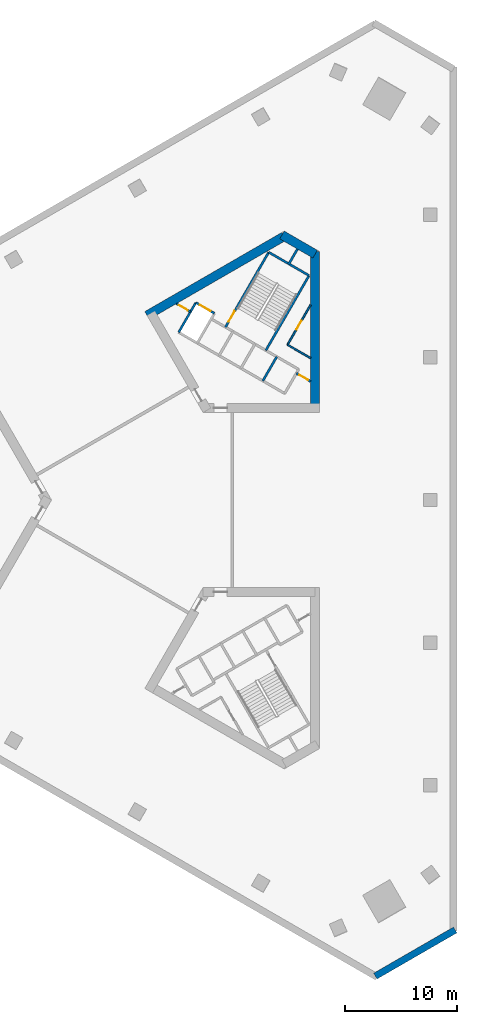
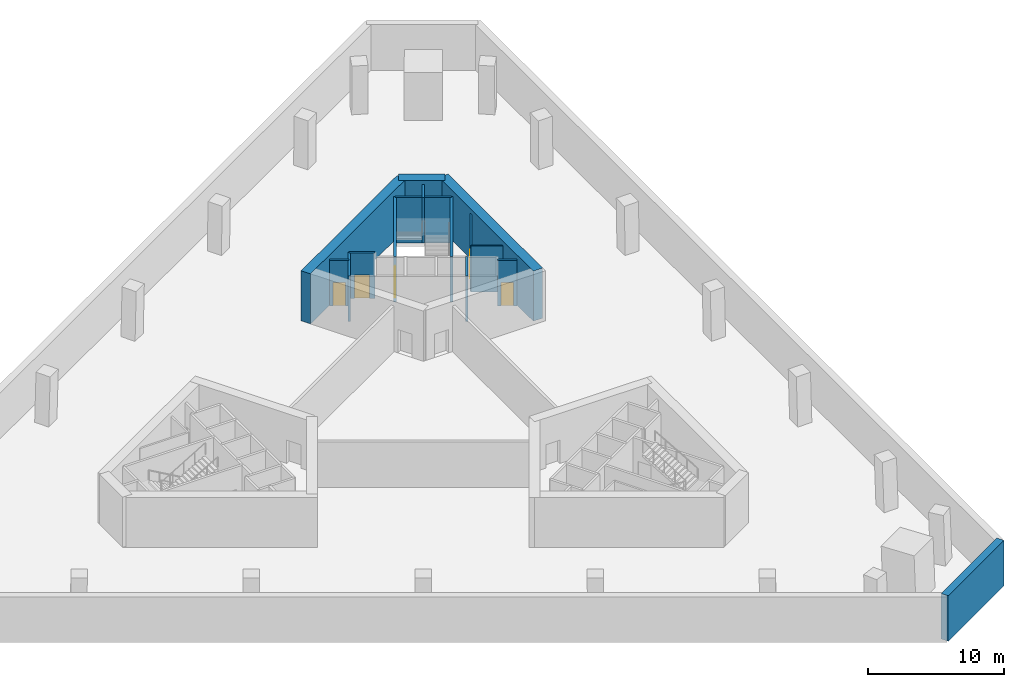
# One storey, part 4 of 6: 15 walls, 5 doors, 5 openings.
"""IFC4 building model written with IfcOpenShell, lengths in metres."""

from ifc_helpers import new_model, si_unit, direction, frame, frame_2d, origin, place, context, subcontext, project, spatial, rectangle, extrude, material, layer, layer_set, type_object, element, fill, save


model = new_model("IFC4")

# Units and contexts
model_context = context("Model", 3, precision=1e-05, world=origin(), true_north=direction((0.0, 1.0)))
body_context = subcontext(model_context, "Body", "Model", "MODEL_VIEW")
ifc_project = project(units=[si_unit("LENGTHUNIT", "METRE"), si_unit("AREAUNIT", "SQUARE_METRE"), si_unit("VOLUMEUNIT", "CUBIC_METRE"), si_unit("PLANEANGLEUNIT", "RADIAN"), si_unit("MASSUNIT", "GRAM", prefix="KILO")], contexts=[model_context])

# Site, building, storey
site_placement = place(None, origin())
site = spatial("IfcSite", under=ifc_project, at=site_placement, CompositionType="ELEMENT")
building_placement = place(site_placement, origin())
building = spatial("IfcBuilding", under=site, at=building_placement, Name="Jabali Bay Hotel Tower and Convention Centre", CompositionType="ELEMENT")
storey_placement = place(building_placement, frame((0.0, 0.0, -4.5)))
storey = spatial("IfcBuildingStorey", under=building, at=storey_placement, Name="B1", CompositionType="ELEMENT", Elevation=-4.5)

# Wall
ifc_material_1 = material(Name="Concrete C40", Category="concrete")
ifc_layer_1 = layer(ifc_material_1, 0.199951171875)
ifc_layer_set_1 = layer_set([ifc_layer_1], Name="Concrete C40")
wall_type_1 = type_object("IfcWallType", Name="Core partition wall 200", PredefinedType="PARTITIONING", material=ifc_layer_set_1)
wall_1_placement = place(storey_placement, frame((87.090087890625, 100.9404296875, 0.0), z_axis=(0.0, 0.0, 1.0), x_axis=(0.499956811548, 0.866050337213, 0.0)))
element("IfcWall", 1, at=wall_1_placement, inside=storey, type_object=wall_type_1, Name="Core wall 1.5 B1", PredefinedType="PARTITIONING", context=body_context, shape_type="SweptSolid", body=[
    extrude(rectangle(XDim=1.623291015625, YDim=0.199951171875, at=frame_2d((0.8115234375, 0.0))), origin(), (0.0, 0.0, 1.0), 4.10009765625),
])

# Wall, opening, door
wall_2_placement = place(storey_placement, frame((89.080078125, 90.553955078125, 0.0), z_axis=(0.0, 0.0, 1.0), x_axis=(-0.866022048785, 0.500005810984, 0.0)))
wall_2 = element("IfcWall", 2, at=wall_2_placement, inside=storey, type_object=wall_type_1, Name="Core wall 1.11 B1", PredefinedType="PARTITIONING", context=body_context, shape_type="SweptSolid", body=[
    extrude(rectangle(XDim=1.466796875, YDim=0.199951171875, at=frame_2d((0.7333984375, 0.0))), origin(), (0.0, 0.0, 1.0), 4.10009765625),
])
opening_1_placement = place(wall_2_placement, frame((0.283447265625, 0.0, 0.0)))
opening_1 = element("IfcOpeningElement", 3, at=opening_1_placement, cuts=wall_2, Name="Opening D97", PredefinedType="OPENING", context=body_context, shape_type="SweptSolid", body=[
    extrude(rectangle(XDim=0.89990234375, YDim=2.10009765625, at=frame_2d((0.449951171875, 1.050048828125))), frame((0.0, 0.1103515625, 0.0), z_axis=(0.0, -1.0, 0.0), x_axis=(1.0, 0.0, 0.0)), (0.0, 0.0, 1.0), 0.220947265625),
])
ifc_material_2 = material(Name="Fire-rated steel door", Category="steel")
door_type_1 = type_object("IfcDoorType", Name="Vestibule fire door 900 x 2100", OperationType="NOTDEFINED", PredefinedType="NOTDEFINED", material=ifc_material_2)
door_1_placement = place(opening_1_placement, origin())
door_1 = element("IfcDoor", 4, at=door_1_placement, inside=storey, type_object=door_type_1, Name="Vestibule fire door D97", OperationType="SINGLE_SWING_LEFT", OverallHeight=2.10009765625, OverallWidth=0.89990234375, PredefinedType="NOTDEFINED", context=body_context, shape_type="SweptSolid", body=[
    extrude(rectangle(XDim=0.89990234375, YDim=2.10009765625, at=frame_2d((0.449951171875, 1.050048828125))), frame((0.0, 0.02490234375, 0.0), z_axis=(0.0, -1.0, 0.0), x_axis=(1.0, 0.0, 0.0)), (0.0, 0.0, 1.0), 0.050048828125),
])
fill(opening_1, door_1)

wall_3_placement = place(storey_placement, frame((78.380126953125, 96.754638671875, 0.0), z_axis=(0.0, 0.0, 1.0), x_axis=(-0.866003949776, 0.500037157592, 0.0)))
wall_3 = element("IfcWall", 5, at=wall_3_placement, inside=storey, type_object=wall_type_1, Name="Core wall 1.12 B1", PredefinedType="PARTITIONING", context=body_context, shape_type="SweptSolid", body=[
    extrude(rectangle(XDim=1.455078125, YDim=0.199951171875, at=frame_2d((0.7275390625, 0.0))), origin(), (0.0, 0.0, 1.0), 4.10009765625),
])
opening_2_placement = place(wall_3_placement, frame((0.277587890625, 0.0, 0.0)))
opening_2 = element("IfcOpeningElement", 6, at=opening_2_placement, cuts=wall_3, Name="Opening D96", PredefinedType="OPENING", context=body_context, shape_type="SweptSolid", body=[
    extrude(rectangle(XDim=0.89990234375, YDim=2.10009765625, at=frame_2d((0.449951171875, 1.050048828125))), frame((0.0, 0.1103515625, 0.0), z_axis=(0.0, -1.0, 0.0), x_axis=(1.0, 0.0, 0.0)), (0.0, 0.0, 1.0), 0.220947265625),
])
door_2_placement = place(opening_2_placement, origin())
door_2 = element("IfcDoor", 7, at=door_2_placement, inside=storey, type_object=door_type_1, Name="Vestibule fire door D96", OperationType="SINGLE_SWING_LEFT", OverallHeight=2.10009765625, OverallWidth=0.89990234375, PredefinedType="NOTDEFINED", context=body_context, shape_type="SweptSolid", body=[
    extrude(rectangle(XDim=0.89990234375, YDim=2.10009765625, at=frame_2d((0.449951171875, 1.050048828125))), frame((0.0, 0.02490234375, 0.0), z_axis=(0.0, -1.0, 0.0), x_axis=(1.0, 0.0, 0.0)), (0.0, 0.0, 1.0), 0.050048828125),
])
fill(opening_2, door_2)

ifc_material_3 = material(Name="Fire-rated board partition")
ifc_layer_2 = layer(ifc_material_3, 0.14990234375)
ifc_layer_set_2 = layer_set([ifc_layer_2], Name="Fire-rated board partition")
wall_type_2 = type_object("IfcWallType", Name="Core room partition 150", PredefinedType="PARTITIONING", material=ifc_layer_set_2)
wall_4_placement = place(storey_placement, frame((87.02099609375, 93.821044921875, 0.0), z_axis=(0.0, 0.0, 1.0), x_axis=(0.500028662945, 0.866008854593, 0.0)))
wall_4 = element("IfcWall", 8, at=wall_4_placement, inside=storey, type_object=wall_type_2, Name="Core wall 1.1 B1", PredefinedType="PARTITIONING", context=body_context, shape_type="SweptSolid", body=[
    extrude(rectangle(XDim=4.117919921875, YDim=0.14990234375, at=frame_2d((2.05908203125, 0.0))), origin(), (0.0, 0.0, 1.0), 4.10009765625),
])
opening_3_placement = place(wall_4_placement, frame((1.58154296875, 0.0, 0.0)))
opening_3 = element("IfcOpeningElement", 9, at=opening_3_placement, cuts=wall_4, Name="Opening D99", PredefinedType="OPENING", context=body_context, shape_type="SweptSolid", body=[
    extrude(rectangle(XDim=0.89990234375, YDim=2.10009765625, at=frame_2d((0.449951171875, 1.050048828125))), frame((0.0, 0.08544921875, 0.0), z_axis=(0.0, -1.0, 0.0), x_axis=(1.0, 0.0, 0.0)), (0.0, 0.0, 1.0), 0.1708984375),
])
door_type_2 = type_object("IfcDoorType", Name="Core room door 900 x 2100", OperationType="NOTDEFINED", PredefinedType="NOTDEFINED", material=ifc_material_2)
door_3_placement = place(opening_3_placement, origin())
door_3 = element("IfcDoor", 10, at=door_3_placement, inside=storey, type_object=door_type_2, Name="Core room door D99", OperationType="SINGLE_SWING_LEFT", OverallHeight=2.10009765625, OverallWidth=0.89990234375, PredefinedType="NOTDEFINED", context=body_context, shape_type="SweptSolid", body=[
    extrude(rectangle(XDim=0.89990234375, YDim=2.10009765625, at=frame_2d((0.449951171875, 1.050048828125))), frame((0.0, 0.02490234375, 0.0), z_axis=(0.0, -1.0, 0.0), x_axis=(1.0, 0.0, 0.0)), (0.0, 0.0, 1.0), 0.050048828125),
])
fill(opening_3, door_3)

# Walls
wall_5_placement = place(storey_placement, frame((89.080078125, 92.63232421875, 0.0), z_axis=(0.0, 0.0, 1.0), x_axis=(-0.866041951395, 0.499971337603, 0.0)))
element("IfcWall", 11, at=wall_5_placement, inside=storey, type_object=wall_type_2, Name="Core wall 1.15 B1", PredefinedType="PARTITIONING", context=body_context, shape_type="SweptSolid", body=[
    extrude(rectangle(XDim=2.377685546875, YDim=0.14990234375, at=frame_2d((1.18896484375, 0.0))), origin(), (0.0, 0.0, 1.0), 4.10009765625),
])
ifc_layer_3 = layer(ifc_material_1, 0.199951171875)
ifc_layer_set_3 = layer_set([ifc_layer_3], Name="Concrete C40")
wall_type_3 = type_object("IfcWallType", Name="Core stair wall 200", PredefinedType="SOLIDWALL", material=ifc_layer_set_3)
wall_6_placement = place(storey_placement, frame((84.8212890625, 90.61083984375, 0.0), z_axis=(0.0, 0.0, 1.0), x_axis=(0.499961042966, 0.86604789447, 0.0)))
element("IfcWall", 12, at=wall_6_placement, inside=storey, type_object=wall_type_3, Name="Core wall 1.2 B1", PredefinedType="SOLIDWALL", context=body_context, shape_type="SweptSolid", body=[
    extrude(rectangle(XDim=2.480224609375, YDim=0.199951171875, at=frame_2d((1.240234375, 0.0))), origin(), (0.0, 0.0, 1.0), 4.10009765625),
])
wall_7_placement = place(storey_placement, frame((85.0869140625, 93.3212890625, 0.0), z_axis=(0.0, 0.0, 1.0), x_axis=(0.500019787375, 0.866013979237, 0.0)))
element("IfcWall", 13, at=wall_7_placement, inside=storey, type_object=wall_type_3, Name="Core wall 1.3 B1", PredefinedType="SOLIDWALL", context=body_context, shape_type="SweptSolid", body=[
    extrude(rectangle(XDim=7.699951171875, YDim=0.199951171875, at=frame_2d((3.85009765625, 0.0))), origin(), (0.0, 0.0, 1.0), 4.10009765625),
])

# Wall, opening, door
wall_8_placement = place(storey_placement, frame((81.492919921875, 95.396240234375, 0.0), z_axis=(0.0, 0.0, 1.0), x_axis=(0.500006057782, 0.866021906294, 0.0)))
wall_8 = element("IfcWall", 14, at=wall_8_placement, inside=storey, type_object=wall_type_3, Name="Core wall 1.7 B1", PredefinedType="SOLIDWALL", context=body_context, shape_type="SweptSolid", body=[
    extrude(rectangle(XDim=7.7001953125, YDim=0.199951171875, at=frame_2d((3.85009765625, 0.0))), origin(), (0.0, 0.0, 1.0), 4.10009765625),
])
opening_4_placement = place(wall_8_placement, frame((0.550048828125, 0.0, 0.0)))
opening_4 = element("IfcOpeningElement", 15, at=opening_4_placement, cuts=wall_8, Name="Opening D98", PredefinedType="OPENING", context=body_context, shape_type="SweptSolid", body=[
    extrude(rectangle(XDim=1.10009765625, YDim=2.10009765625, at=frame_2d((0.550048828125, 1.050048828125))), frame((0.0, 0.1103515625, 0.0), z_axis=(0.0, -1.0, 0.0), x_axis=(1.0, 0.0, 0.0)), (0.0, 0.0, 1.0), 0.220947265625),
])
door_type_3 = type_object("IfcDoorType", Name="Stair fire door 1100 x 2100", OperationType="NOTDEFINED", PredefinedType="NOTDEFINED", material=ifc_material_2)
door_4_placement = place(opening_4_placement, origin())
door_4 = element("IfcDoor", 16, at=door_4_placement, inside=storey, type_object=door_type_3, Name="Stair fire door D98", OperationType="SINGLE_SWING_RIGHT", OverallHeight=2.10009765625, OverallWidth=1.10009765625, PredefinedType="NOTDEFINED", context=body_context, shape_type="SweptSolid", body=[
    extrude(rectangle(XDim=1.10009765625, YDim=2.10009765625, at=frame_2d((0.550048828125, 1.050048828125))), frame((0.0, 0.02490234375, 0.0), z_axis=(0.0, -1.0, 0.0), x_axis=(1.0, 0.0, 0.0)), (0.0, 0.0, 1.0), 0.050048828125),
])
fill(opening_4, door_4)

# Wall
wall_9_placement = place(storey_placement, frame((77.330078125, 94.93603515625, 0.0), z_axis=(0.0, 0.0, 1.0), x_axis=(0.500038867431, 0.8660029625, 0.0)))
element("IfcWall", 17, at=wall_9_placement, inside=storey, type_object=wall_type_3, Name="Core wall 1.9 B1", PredefinedType="SOLIDWALL", context=body_context, shape_type="SweptSolid", body=[
    extrude(rectangle(XDim=3.050048828125, YDim=0.199951171875, at=frame_2d((1.52490234375, 0.0))), origin(), (0.0, 0.0, 1.0), 4.10009765625),
])

# Wall, opening, door
wall_10_placement = place(storey_placement, frame((80.50048828125, 96.62744140625, 0.0), z_axis=(0.0, 0.0, 1.0), x_axis=(-0.86601224135, 0.500022797313, 0.0)))
wall_10 = element("IfcWall", 18, at=wall_10_placement, inside=storey, type_object=wall_type_3, Name="Core wall 1.14 B1", PredefinedType="SOLIDWALL", context=body_context, shape_type="SweptSolid", body=[
    extrude(rectangle(XDim=1.89990234375, YDim=0.199951171875, at=frame_2d((0.949951171875, 0.0))), origin(), (0.0, 0.0, 1.0), 4.10009765625),
])
opening_5_placement = place(wall_10_placement, frame((0.39990234375, 0.0, 0.0)))
opening_5 = element("IfcOpeningElement", 19, at=opening_5_placement, cuts=wall_10, Name="Opening LD10-B1", PredefinedType="OPENING", context=body_context, shape_type="SweptSolid", body=[
    extrude(rectangle(XDim=1.10009765625, YDim=2.10009765625, at=frame_2d((0.550048828125, 1.050048828125))), frame((0.0, 0.1103515625, 0.0), z_axis=(0.0, -1.0, 0.0), x_axis=(1.0, 0.0, 0.0)), (0.0, 0.0, 1.0), 0.220947265625),
])
ifc_material_4 = material(Name="Stainless steel landing door", Category="steel")
door_type_4 = type_object("IfcDoorType", Name="Landing door 1100 x 2100", OperationType="NOTDEFINED", PredefinedType="NOTDEFINED", material=ifc_material_4)
door_5_placement = place(opening_5_placement, origin())
door_5 = element("IfcDoor", 20, at=door_5_placement, inside=storey, type_object=door_type_4, Name="Landing doors LD10-B1", OperationType="SLIDING_TO_RIGHT", OverallHeight=2.10009765625, OverallWidth=1.10009765625, PredefinedType="NOTDEFINED", context=body_context, shape_type="SweptSolid", body=[
    extrude(rectangle(XDim=1.10009765625, YDim=2.10009765625, at=frame_2d((0.550048828125, 1.050048828125))), frame((0.0, 0.02490234375, 0.0), z_axis=(0.0, -1.0, 0.0), x_axis=(1.0, 0.0, 0.0)), (0.0, 0.0, 1.0), 0.050048828125),
])
fill(opening_5, door_5)

# Walls
wall_11_placement = place(storey_placement, frame((88.93701171875, 99.989501953125, 0.0), z_axis=(0.0, 0.0, 1.0), x_axis=(-0.866004344652, 0.500036473714, 0.0)))
element("IfcWall", 21, at=wall_11_placement, inside=storey, type_object=wall_type_3, Name="Core wall 1.16 B1", PredefinedType="SOLIDWALL", context=body_context, shape_type="SweptSolid", body=[
    extrude(rectangle(XDim=4.150146484375, YDim=0.199951171875, at=frame_2d((2.0751953125, 0.0))), origin(), (0.0, 0.0, 1.0), 4.10009765625),
])
ifc_material_5 = material(Name="Concrete C60", Category="concrete")
ifc_layer_4 = layer(ifc_material_5, 0.800048828125)
ifc_layer_set_4 = layer_set([ifc_layer_4], Name="Concrete C60")
wall_type_4 = type_object("IfcWallType", Name="Core wall 800", PredefinedType="SHEAR", material=ifc_layer_set_4)
wall_12_placement = place(storey_placement, frame((89.47998046875, 88.1943359375, 0.0), z_axis=(0.0, 0.0, 1.0), x_axis=(0.0, 1.0, 0.0)))
element("IfcWall", 22, at=wall_12_placement, inside=storey, type_object=wall_type_4, Name="Core wall 2.2 B1", PredefinedType="SHEAR", context=body_context, shape_type="SweptSolid", body=[
    extrude(rectangle(XDim=13.933349609375, YDim=0.800048828125, at=frame_2d((6.966796875, 0.0))), origin(), (0.0, 0.0, 1.0), 4.5),
])
wall_13_placement = place(storey_placement, frame((89.47998046875, 101.896728515625, 0.0), z_axis=(0.0, 0.0, 1.0), x_axis=(-0.866034355626, 0.499984494636, 0.0)))
element("IfcWall", 23, at=wall_13_placement, inside=storey, type_object=wall_type_4, Name="Core wall 2.3 B1", PredefinedType="SHEAR", context=body_context, shape_type="SweptSolid", body=[
    extrude(rectangle(XDim=3.4140625, YDim=0.800048828125, at=frame_2d((1.70703125, 0.0))), origin(), (0.0, 0.0, 1.0), 4.5),
])
wall_14_placement = place(storey_placement, frame((86.72314453125, 103.48828125, 0.0), z_axis=(0.0, 0.0, 1.0), x_axis=(-0.866032504327, -0.499987701298, 0.0)))
element("IfcWall", 24, at=wall_14_placement, inside=storey, type_object=wall_type_4, Name="Core wall 2.4 B1", PredefinedType="SHEAR", context=body_context, shape_type="SweptSolid", body=[
    extrude(rectangle(XDim=14.102294921875, YDim=0.800048828125, at=frame_2d((7.05126953125, 0.0))), origin(), (0.0, 0.0, 1.0), 4.5),
])
ifc_layer_5 = layer(ifc_material_1, 0.60009765625)
ifc_layer_set_5 = layer_set([ifc_layer_5], Name="Concrete C40")
wall_type_5 = type_object("IfcWallType", Name="Retaining wall 600", PredefinedType="SOLIDWALL", material=ifc_layer_set_5)
wall_15_placement = place(storey_placement, frame((94.83984375, 37.599609375, 0.0), z_axis=(0.0, 0.0, 1.0), x_axis=(0.866027617105, 0.499996166398, 0.0)))
element("IfcWall", 25, at=wall_15_placement, inside=storey, type_object=wall_type_5, Name="Retaining wall B1 6", PredefinedType="SOLIDWALL", context=body_context, shape_type="SweptSolid", body=[
    extrude(rectangle(XDim=8.2099609375, YDim=0.60009765625, at=frame_2d((4.10498046875, 0.0))), origin(), (0.0, 0.0, 1.0), 4.10009765625),
])

save(model, "model.ifc")
